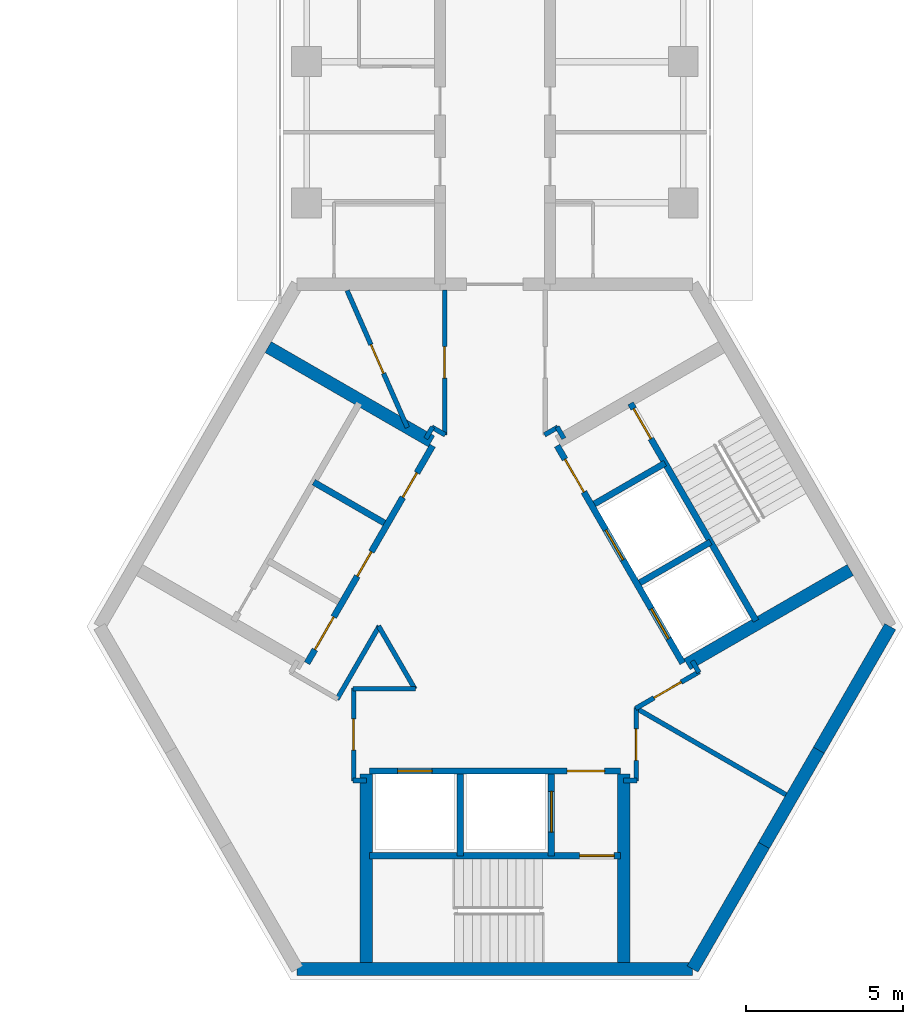
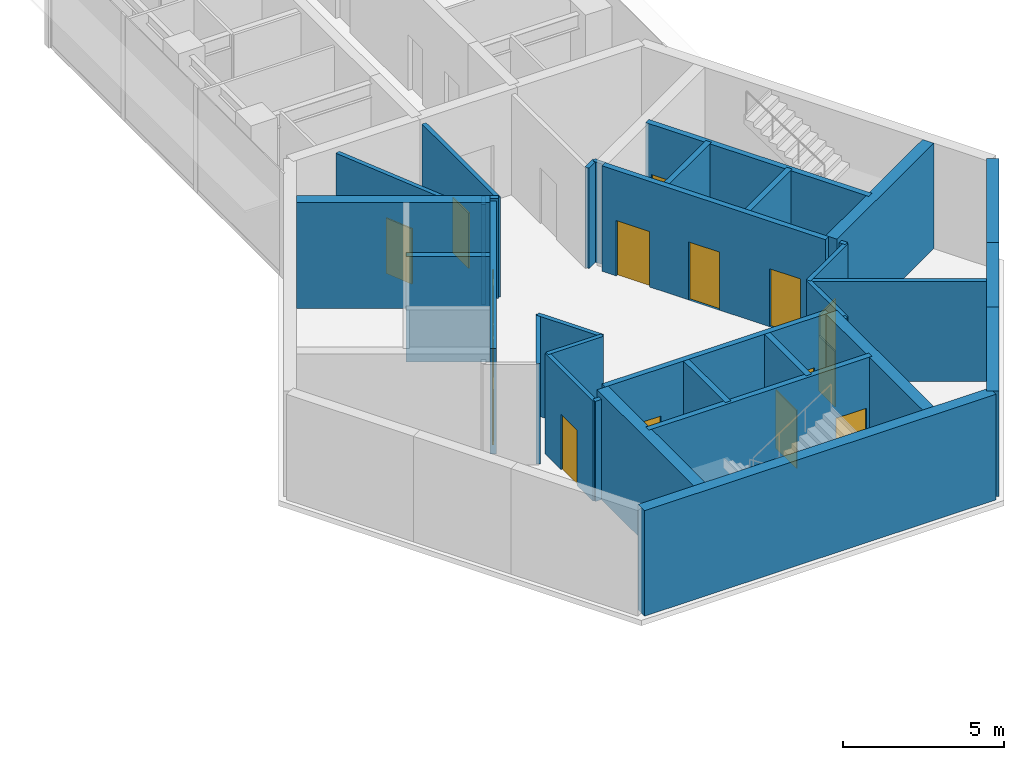
# One storey, part 8 of 11: 34 walls, 16 doors, 16 openings.
"""IFC4 building model written with IfcOpenShell, lengths in metres."""

from ifc_helpers import new_model, si_unit, direction, frame, frame_2d, origin, place, context, subcontext, project, spatial, rectangle, extrude, material, layer, layer_set, type_object, element, fill, save


model = new_model("IFC4")

# Units and contexts
model_context = context("Model", 3, precision=1e-05, world=origin(), true_north=direction((0.0, 1.0)))
body_context = subcontext(model_context, "Body", "Model", "MODEL_VIEW")
ifc_project = project(units=[si_unit("LENGTHUNIT", "METRE"), si_unit("AREAUNIT", "SQUARE_METRE"), si_unit("VOLUMEUNIT", "CUBIC_METRE"), si_unit("PLANEANGLEUNIT", "RADIAN"), si_unit("MASSUNIT", "GRAM", prefix="KILO")], contexts=[model_context])

# Site, building, storey
site_placement = place(None, origin())
site = spatial("IfcSite", under=ifc_project, at=site_placement, CompositionType="ELEMENT")
building_placement = place(site_placement, origin())
building = spatial("IfcBuilding", under=site, at=building_placement, Name="Upepo Twin Towers", CompositionType="ELEMENT")
storey_placement = place(building_placement, frame((0.0, 0.0, 275.5)))
storey = spatial("IfcBuildingStorey", under=building, at=storey_placement, Name="L67", CompositionType="ELEMENT", Elevation=275.5)

# Walls
ifc_material_1 = material(Name="Concrete C60/75", Category="concrete")
ifc_layer_1 = layer(ifc_material_1, 0.39990234375)
ifc_layer_set_1 = layer_set([ifc_layer_1], Name="Concrete C60/75")
wall_type_1 = type_object("IfcWallType", Name="Core wall 400 RC", PredefinedType="SHEAR", material=ifc_layer_set_1)
wall_1_placement = place(storey_placement, frame((52.2021484375, -28.908447265625, 0.0), z_axis=(0.0, 0.0, 1.0), x_axis=(1.0, 0.0, 0.0)))
element("IfcWall", 1, at=wall_1_placement, inside=storey, type_object=wall_type_1, Name="T2 core wall 180", PredefinedType="SHEAR", context=body_context, shape_type="SweptSolid", body=[
    extrude(rectangle(XDim=12.595703125, YDim=0.39990234375, at=frame_2d((6.2978515625, 0.0))), origin(), (0.0, 0.0, 1.0), 4.0),
])
wall_2_placement = place(storey_placement, frame((64.7978515625, -28.908447265625, 0.0), z_axis=(0.0, 0.0, 1.0), x_axis=(0.499984222037, 0.866034513004, 0.0)))
element("IfcWall", 2, at=wall_2_placement, inside=storey, type_object=wall_type_1, Name="T2 core wall 240 R", PredefinedType="SHEAR", context=body_context, shape_type="SweptSolid", body=[
    extrude(rectangle(XDim=4.548095703125, YDim=0.39990234375, at=frame_2d((2.27392578125, 0.0))), origin(), (0.0, 0.0, 1.0), 4.0),
])
wall_3_placement = place(storey_placement, frame((67.07177734375, -24.9697265625, 0.0), z_axis=(0.0, 0.0, 1.0), x_axis=(0.500010275428, 0.866019471182, 0.0)))
element("IfcWall", 3, at=wall_3_placement, inside=storey, type_object=wall_type_1, Name="T2 core wall 240", PredefinedType="SHEAR", context=body_context, shape_type="SweptSolid", body=[
    extrude(rectangle(XDim=3.5, YDim=0.39990234375, at=frame_2d((1.75, 0.0))), origin(), (0.0, 0.0, 1.0), 4.0),
])
wall_4_placement = place(storey_placement, frame((68.82177734375, -21.938720703125, 0.0), z_axis=(0.0, 0.0, 1.0), x_axis=(0.500024481964, 0.866011268655, 0.0)))
element("IfcWall", 4, at=wall_4_placement, inside=storey, type_object=wall_type_1, Name="T2 core wall 240 L", PredefinedType="SHEAR", context=body_context, shape_type="SweptSolid", body=[
    extrude(rectangle(XDim=4.548095703125, YDim=0.39990234375, at=frame_2d((2.27392578125, 0.0))), origin(), (0.0, 0.0, 1.0), 4.0),
])

# Wall, openings, doors
ifc_material_2 = material(Name="Concrete C40/50", Category="concrete")
ifc_layer_2 = layer(ifc_material_2, 0.199951171875)
ifc_layer_set_2 = layer_set([ifc_layer_2], Name="Concrete C40/50")
wall_type_2 = type_object("IfcWallType", Name="Shaft wall 200 RC", PredefinedType="SHEAR", material=ifc_layer_set_2)
wall_5_placement = place(storey_placement, frame((56.516357421875, -12.23583984375, 0.0), z_axis=(0.0, 0.0, 1.0), x_axis=(-0.49999894854, -0.866026010844, 0.0)))
wall_5 = element("IfcWall", 5, at=wall_5_placement, inside=storey, type_object=wall_type_2, Name="T2 core W60 front wall", PredefinedType="SHEAR", context=body_context, shape_type="SweptSolid", body=[
    extrude(rectangle(XDim=8.0, YDim=0.199951171875, at=frame_2d((4.0, 0.0))), origin(), (0.0, 0.0, 1.0), 4.0),
])
opening_1_placement = place(wall_5_placement, frame((6.300048828125, 0.0, 0.0)))
opening_1 = element("IfcOpeningElement", 6, at=opening_1_placement, cuts=wall_5, Name="Opening D4", PredefinedType="OPENING", context=body_context, shape_type="SweptSolid", body=[
    extrude(rectangle(XDim=1.199951171875, YDim=2.10009765625, at=frame_2d((0.60009765625, 1.050048828125))), frame((0.0, 0.10986328125, 0.0), z_axis=(0.0, -1.0, 0.0), x_axis=(1.0, 0.0, 0.0)), (0.0, 0.0, 1.0), 0.219970703125),
])
opening_2_placement = place(wall_5_placement, frame((1.0, 0.0, 0.0)))
opening_2 = element("IfcOpeningElement", 7, at=opening_2_placement, cuts=wall_5, Name="Opening D9", PredefinedType="OPENING", context=body_context, shape_type="SweptSolid", body=[
    extrude(rectangle(XDim=0.89990234375, YDim=2.10009765625, at=frame_2d((0.449951171875, 1.050048828125))), frame((0.0, 0.10986328125, 0.0), z_axis=(0.0, -1.0, 0.0), x_axis=(1.0, 0.0, 0.0)), (0.0, 0.0, 1.0), 0.219970703125),
])
opening_3_placement = place(wall_5_placement, frame((3.89990234375, 0.0, 0.0)))
opening_3 = element("IfcOpeningElement", 8, at=opening_3_placement, cuts=wall_5, Name="Opening D9", PredefinedType="OPENING", context=body_context, shape_type="SweptSolid", body=[
    extrude(rectangle(XDim=0.89990234375, YDim=2.10009765625, at=frame_2d((0.449951171875, 1.050048828125))), frame((0.0, 0.10986328125, 0.0), z_axis=(0.0, -1.0, 0.0), x_axis=(1.0, 0.0, 0.0)), (0.0, 0.0, 1.0), 0.219970703125),
])
ifc_material_3 = material(Name="Timber doorset", Category="wood")
door_type_1 = type_object("IfcDoorType", Name="Lobby door 1200 FD60", OperationType="SINGLE_SWING_LEFT", PredefinedType="DOOR", material=ifc_material_3)
door_1_placement = place(opening_1_placement, origin())
door_1 = element("IfcDoor", 9, at=door_1_placement, inside=storey, type_object=door_type_1, Name="T2 L67 W60 lobby door", OperationType="SINGLE_SWING_RIGHT", OverallHeight=2.10009765625, OverallWidth=1.199951171875, PredefinedType="DOOR", context=body_context, shape_type="SweptSolid", body=[
    extrude(rectangle(XDim=1.199951171875, YDim=2.10009765625, at=frame_2d((0.60009765625, 1.050048828125))), frame((0.0, 0.02490234375, 0.0), z_axis=(0.0, -1.0, 0.0), x_axis=(1.0, 0.0, 0.0)), (0.0, 0.0, 1.0), 0.050048828125),
])
fill(opening_1, door_1)
ifc_material_4 = material(Name="Timber doorset", Category="wood")
door_type_2 = type_object("IfcDoorType", Name="Riser door 900 FD60", OperationType="SINGLE_SWING_LEFT", PredefinedType="DOOR", material=ifc_material_4)
door_2_placement = place(opening_2_placement, origin())
door_2 = element("IfcDoor", 10, at=door_2_placement, inside=storey, type_object=door_type_2, Name="T2 L67 it and communications room door", OperationType="SINGLE_SWING_LEFT", OverallHeight=2.10009765625, OverallWidth=0.89990234375, PredefinedType="DOOR", context=body_context, shape_type="SweptSolid", body=[
    extrude(rectangle(XDim=0.89990234375, YDim=2.10009765625, at=frame_2d((0.449951171875, 1.050048828125))), frame((0.0, 0.02490234375, 0.0), z_axis=(0.0, -1.0, 0.0), x_axis=(1.0, 0.0, 0.0)), (0.0, 0.0, 1.0), 0.050048828125),
])
fill(opening_2, door_2)
door_3_placement = place(opening_3_placement, origin())
door_3 = element("IfcDoor", 11, at=door_3_placement, inside=storey, type_object=door_type_2, Name="T2 L67 examination papers store door", OperationType="SINGLE_SWING_RIGHT", OverallHeight=2.10009765625, OverallWidth=0.89990234375, PredefinedType="DOOR", context=body_context, shape_type="SweptSolid", body=[
    extrude(rectangle(XDim=0.89990234375, YDim=2.10009765625, at=frame_2d((0.449951171875, 1.050048828125))), frame((0.0, 0.02490234375, 0.0), z_axis=(0.0, -1.0, 0.0), x_axis=(1.0, 0.0, 0.0)), (0.0, 0.0, 1.0), 0.050048828125),
])
fill(opening_3, door_3)

# Wall
wall_6_placement = place(storey_placement, frame((54.979736328125, -14.697265625, 0.0), z_axis=(0.0, 0.0, 1.0), x_axis=(-0.866062058628, 0.499936506574, 0.0)))
element("IfcWall", 12, at=wall_6_placement, inside=storey, type_object=wall_type_2, Name="T2 core W60 shaft divider", PredefinedType="SHEAR", context=body_context, shape_type="SweptSolid", body=[
    extrude(rectangle(XDim=2.599853515625, YDim=0.199951171875, at=frame_2d((1.2998046875, 0.0))), origin(), (0.0, 0.0, 1.0), 4.0),
])

# Wall, openings, doors
wall_7_placement = place(storey_placement, frame((54.5, -22.60009765625, 0.0), z_axis=(0.0, 0.0, 1.0), x_axis=(1.0, 0.0, 0.0)))
wall_7 = element("IfcWall", 13, at=wall_7_placement, inside=storey, type_object=wall_type_2, Name="T2 core W180 front wall", PredefinedType="SHEAR", context=body_context, shape_type="SweptSolid", body=[
    extrude(rectangle(XDim=8.0, YDim=0.199951171875, at=frame_2d((4.0, 0.0))), origin(), (0.0, 0.0, 1.0), 4.0),
])
opening_4_placement = place(wall_7_placement, frame((6.300048828125, 0.0, 0.0)))
opening_4 = element("IfcOpeningElement", 14, at=opening_4_placement, cuts=wall_7, Name="Opening D4", PredefinedType="OPENING", context=body_context, shape_type="SweptSolid", body=[
    extrude(rectangle(XDim=1.199951171875, YDim=2.10009765625, at=frame_2d((0.60009765625, 1.050048828125))), frame((0.0, 0.10986328125, 0.0), z_axis=(0.0, -1.0, 0.0), x_axis=(1.0, 0.0, 0.0)), (0.0, 0.0, 1.0), 0.219970703125),
])
opening_5_placement = place(wall_7_placement, frame((0.89990234375, 0.0, 0.0)))
opening_5 = element("IfcOpeningElement", 15, at=opening_5_placement, cuts=wall_7, Name="Opening LD1", PredefinedType="OPENING", context=body_context, shape_type="SweptSolid", body=[
    extrude(rectangle(XDim=1.10009765625, YDim=2.199951171875, at=frame_2d((0.550048828125, 1.10009765625))), frame((0.0, 0.10986328125, 0.0), z_axis=(0.0, -1.0, 0.0), x_axis=(1.0, 0.0, 0.0)), (0.0, 0.0, 1.0), 0.219970703125),
])
ifc_material_5 = material(Name="Steel doorset", Category="steel")
door_type_3 = type_object("IfcDoorType", Name="Lift landing door 1100", OperationType="DOUBLE_DOOR_SLIDING", PredefinedType="DOOR", material=ifc_material_5)
door_4_placement = place(opening_5_placement, origin())
door_4 = element("IfcDoor", 16, at=door_4_placement, inside=storey, type_object=door_type_3, Name="T2 L67 lift SV1 landing door", OperationType="DOUBLE_DOOR_SLIDING", OverallHeight=2.199951171875, OverallWidth=1.10009765625, PredefinedType="DOOR", context=body_context, shape_type="SweptSolid", body=[
    extrude(rectangle(XDim=1.10009765625, YDim=2.199951171875, at=frame_2d((0.550048828125, 1.10009765625))), frame((0.0, 0.02490234375, 0.0), z_axis=(0.0, -1.0, 0.0), x_axis=(1.0, 0.0, 0.0)), (0.0, 0.0, 1.0), 0.050048828125),
])
fill(opening_5, door_4)
door_5_placement = place(opening_4_placement, origin())
door_5 = element("IfcDoor", 17, at=door_5_placement, inside=storey, type_object=door_type_1, Name="T2 L67 W180 lobby door", OperationType="SINGLE_SWING_RIGHT", OverallHeight=2.10009765625, OverallWidth=1.199951171875, PredefinedType="DOOR", context=body_context, shape_type="SweptSolid", body=[
    extrude(rectangle(XDim=1.199951171875, YDim=2.10009765625, at=frame_2d((0.60009765625, 1.050048828125))), frame((0.0, 0.02490234375, 0.0), z_axis=(0.0, -1.0, 0.0), x_axis=(1.0, 0.0, 0.0)), (0.0, 0.0, 1.0), 0.050048828125),
])
fill(opening_4, door_5)

# Wall
wall_8_placement = place(storey_placement, frame((57.39990234375, -22.699951171875, 0.0), z_axis=(0.0, 0.0, 1.0), x_axis=(0.0, -1.0, 0.0)))
element("IfcWall", 18, at=wall_8_placement, inside=storey, type_object=wall_type_2, Name="T2 core W180 shaft divider", PredefinedType="SHEAR", context=body_context, shape_type="SweptSolid", body=[
    extrude(rectangle(XDim=2.60009765625, YDim=0.199951171875, at=frame_2d((1.300048828125, 0.0))), origin(), (0.0, 0.0, 1.0), 4.0),
])

# Wall, opening, door
wall_9_placement = place(storey_placement, frame((60.300048828125, -22.699951171875, 0.0), z_axis=(0.0, 0.0, 1.0), x_axis=(0.0, -1.0, 0.0)))
wall_9 = element("IfcWall", 19, at=wall_9_placement, inside=storey, type_object=wall_type_2, Name="T2 core W180 lobby wall", PredefinedType="SHEAR", context=body_context, shape_type="SweptSolid", body=[
    extrude(rectangle(XDim=2.60009765625, YDim=0.199951171875, at=frame_2d((1.300048828125, 0.0))), origin(), (0.0, 0.0, 1.0), 4.0),
])
opening_6_placement = place(wall_9_placement, frame((0.550048828125, 0.0, 0.0)))
opening_6 = element("IfcOpeningElement", 20, at=opening_6_placement, cuts=wall_9, Name="Opening LD2", PredefinedType="OPENING", context=body_context, shape_type="SweptSolid", body=[
    extrude(rectangle(XDim=1.300048828125, YDim=2.199951171875, at=frame_2d((0.64990234375, 1.10009765625))), frame((0.0, 0.10986328125, 0.0), z_axis=(0.0, -1.0, 0.0), x_axis=(1.0, 0.0, 0.0)), (0.0, 0.0, 1.0), 0.219970703125),
])
ifc_material_6 = material(Name="Steel doorset", Category="steel")
door_type_4 = type_object("IfcDoorType", Name="Firefighting lift landing door 1300", OperationType="DOUBLE_DOOR_SLIDING", PredefinedType="DOOR", material=ifc_material_6)
door_6_placement = place(opening_6_placement, origin())
door_6 = element("IfcDoor", 21, at=door_6_placement, inside=storey, type_object=door_type_4, Name="T2 L67 firefighting lift landing door", OperationType="DOUBLE_DOOR_SLIDING", OverallHeight=2.199951171875, OverallWidth=1.300048828125, PredefinedType="DOOR", context=body_context, shape_type="SweptSolid", body=[
    extrude(rectangle(XDim=1.300048828125, YDim=2.199951171875, at=frame_2d((0.64990234375, 1.10009765625))), frame((0.0, 0.02490234375, 0.0), z_axis=(0.0, -1.0, 0.0), x_axis=(1.0, 0.0, 0.0)), (0.0, 0.0, 1.0), 0.050048828125),
])
fill(opening_6, door_6)

wall_10_placement = place(storey_placement, frame((54.5, -25.300048828125, 0.0), z_axis=(0.0, 0.0, 1.0), x_axis=(1.0, 0.0, 0.0)))
wall_10 = element("IfcWall", 22, at=wall_10_placement, inside=storey, type_object=wall_type_2, Name="T2 core W180 stair wall", PredefinedType="SHEAR", context=body_context, shape_type="SweptSolid", body=[
    extrude(rectangle(XDim=8.0, YDim=0.199951171875, at=frame_2d((4.0, 0.0))), origin(), (0.0, 0.0, 1.0), 4.0),
])
opening_7_placement = place(wall_10_placement, frame((6.699951171875, 0.0, 0.0)))
opening_7 = element("IfcOpeningElement", 23, at=opening_7_placement, cuts=wall_10, Name="Opening D3", PredefinedType="OPENING", context=body_context, shape_type="SweptSolid", body=[
    extrude(rectangle(XDim=1.10009765625, YDim=2.10009765625, at=frame_2d((0.550048828125, 1.050048828125))), frame((0.0, 0.10986328125, 0.0), z_axis=(0.0, -1.0, 0.0), x_axis=(1.0, 0.0, 0.0)), (0.0, 0.0, 1.0), 0.219970703125),
])
ifc_material_7 = material(Name="Timber doorset", Category="wood")
door_type_5 = type_object("IfcDoorType", Name="Stair door 1100 FD60", OperationType="SINGLE_SWING_LEFT", PredefinedType="DOOR", material=ifc_material_7)
door_7_placement = place(opening_7_placement, origin())
door_7 = element("IfcDoor", 24, at=door_7_placement, inside=storey, type_object=door_type_5, Name="T2 L67 stair door", OperationType="SINGLE_SWING_RIGHT", OverallHeight=2.10009765625, OverallWidth=1.10009765625, PredefinedType="DOOR", context=body_context, shape_type="SweptSolid", body=[
    extrude(rectangle(XDim=1.10009765625, YDim=2.10009765625, at=frame_2d((0.550048828125, 1.050048828125))), frame((0.0, 0.02490234375, 0.0), z_axis=(0.0, -1.0, 0.0), x_axis=(1.0, 0.0, 0.0)), (0.0, 0.0, 1.0), 0.050048828125),
])
fill(opening_7, door_7)

# Wall, openings, doors
wall_11_placement = place(storey_placement, frame((64.483642578125, -19.1640625, 0.0), z_axis=(0.0, 0.0, 1.0), x_axis=(-0.49999894854, 0.866026010844, 0.0)))
wall_11 = element("IfcWall", 25, at=wall_11_placement, inside=storey, type_object=wall_type_2, Name="T2 core W300 front wall", PredefinedType="SHEAR", context=body_context, shape_type="SweptSolid", body=[
    extrude(rectangle(XDim=8.0, YDim=0.199951171875, at=frame_2d((4.0, 0.0))), origin(), (0.0, 0.0, 1.0), 4.0),
])
opening_8_placement = place(wall_11_placement, frame((6.300048828125, 0.0, 0.0)))
opening_8 = element("IfcOpeningElement", 26, at=opening_8_placement, cuts=wall_11, Name="Opening D4", PredefinedType="OPENING", context=body_context, shape_type="SweptSolid", body=[
    extrude(rectangle(XDim=1.199951171875, YDim=2.10009765625, at=frame_2d((0.60009765625, 1.050048828125))), frame((0.0, 0.10986328125, 0.0), z_axis=(0.0, -1.0, 0.0), x_axis=(1.0, 0.0, 0.0)), (0.0, 0.0, 1.0), 0.219970703125),
])
opening_9_placement = place(wall_11_placement, frame((0.89990234375, 0.0, 0.0)))
opening_9 = element("IfcOpeningElement", 27, at=opening_9_placement, cuts=wall_11, Name="Opening LD1", PredefinedType="OPENING", context=body_context, shape_type="SweptSolid", body=[
    extrude(rectangle(XDim=1.10009765625, YDim=2.199951171875, at=frame_2d((0.550048828125, 1.10009765625))), frame((0.0, 0.10986328125, 0.0), z_axis=(0.0, -1.0, 0.0), x_axis=(1.0, 0.0, 0.0)), (0.0, 0.0, 1.0), 0.219970703125),
])
opening_10_placement = place(wall_11_placement, frame((3.800048828125, 0.0, 0.0)))
opening_10 = element("IfcOpeningElement", 28, at=opening_10_placement, cuts=wall_11, Name="Opening LD1", PredefinedType="OPENING", context=body_context, shape_type="SweptSolid", body=[
    extrude(rectangle(XDim=1.10009765625, YDim=2.199951171875, at=frame_2d((0.550048828125, 1.10009765625))), frame((0.0, 0.10986328125, 0.0), z_axis=(0.0, -1.0, 0.0), x_axis=(1.0, 0.0, 0.0)), (0.0, 0.0, 1.0), 0.219970703125),
])
door_8_placement = place(opening_9_placement, origin())
door_8 = element("IfcDoor", 29, at=door_8_placement, inside=storey, type_object=door_type_3, Name="T2 L67 lift TL1 landing door", OperationType="DOUBLE_DOOR_SLIDING", OverallHeight=2.199951171875, OverallWidth=1.10009765625, PredefinedType="DOOR", context=body_context, shape_type="SweptSolid", body=[
    extrude(rectangle(XDim=1.10009765625, YDim=2.199951171875, at=frame_2d((0.550048828125, 1.10009765625))), frame((0.0, 0.02490234375, 0.0), z_axis=(0.0, -1.0, 0.0), x_axis=(1.0, 0.0, 0.0)), (0.0, 0.0, 1.0), 0.050048828125),
])
fill(opening_9, door_8)
door_9_placement = place(opening_10_placement, origin())
door_9 = element("IfcDoor", 30, at=door_9_placement, inside=storey, type_object=door_type_3, Name="T2 L67 lift TL2 landing door", OperationType="DOUBLE_DOOR_SLIDING", OverallHeight=2.199951171875, OverallWidth=1.10009765625, PredefinedType="DOOR", context=body_context, shape_type="SweptSolid", body=[
    extrude(rectangle(XDim=1.10009765625, YDim=2.199951171875, at=frame_2d((0.550048828125, 1.10009765625))), frame((0.0, 0.02490234375, 0.0), z_axis=(0.0, -1.0, 0.0), x_axis=(1.0, 0.0, 0.0)), (0.0, 0.0, 1.0), 0.050048828125),
])
fill(opening_10, door_9)
door_10_placement = place(opening_8_placement, origin())
door_10 = element("IfcDoor", 31, at=door_10_placement, inside=storey, type_object=door_type_1, Name="T2 L67 W300 lobby door", OperationType="SINGLE_SWING_RIGHT", OverallHeight=2.10009765625, OverallWidth=1.199951171875, PredefinedType="DOOR", context=body_context, shape_type="SweptSolid", body=[
    extrude(rectangle(XDim=1.199951171875, YDim=2.10009765625, at=frame_2d((0.60009765625, 1.050048828125))), frame((0.0, 0.02490234375, 0.0), z_axis=(0.0, -1.0, 0.0), x_axis=(1.0, 0.0, 0.0)), (0.0, 0.0, 1.0), 0.050048828125),
])
fill(opening_8, door_10)

# Walls
wall_12_placement = place(storey_placement, frame((63.120361328125, -16.6025390625, 0.0), z_axis=(0.0, 0.0, 1.0), x_axis=(0.866062058628, 0.499936506574, 0.0)))
element("IfcWall", 32, at=wall_12_placement, inside=storey, type_object=wall_type_2, Name="T2 core W300 shaft divider", PredefinedType="SHEAR", context=body_context, shape_type="SweptSolid", body=[
    extrude(rectangle(XDim=2.599853515625, YDim=0.199951171875, at=frame_2d((1.2998046875, 0.0))), origin(), (0.0, 0.0, 1.0), 4.0),
])
wall_13_placement = place(storey_placement, frame((61.67041015625, -14.091064453125, 0.0), z_axis=(0.0, 0.0, 1.0), x_axis=(0.86603858612, 0.49997716683, 0.0)))
element("IfcWall", 33, at=wall_13_placement, inside=storey, type_object=wall_type_2, Name="T2 core W300 lobby wall", PredefinedType="SHEAR", context=body_context, shape_type="SweptSolid", body=[
    extrude(rectangle(XDim=2.599609375, YDim=0.199951171875, at=frame_2d((1.2998046875, 0.0))), origin(), (0.0, 0.0, 1.0), 4.0),
])

# Wall, opening, door
wall_14_placement = place(storey_placement, frame((66.822021484375, -17.814208984375, 0.0), z_axis=(0.0, 0.0, 1.0), x_axis=(-0.49999894854, 0.866026010844, 0.0)))
wall_14 = element("IfcWall", 34, at=wall_14_placement, inside=storey, type_object=wall_type_2, Name="T2 core W300 stair wall", PredefinedType="SHEAR", context=body_context, shape_type="SweptSolid", body=[
    extrude(rectangle(XDim=8.0, YDim=0.199951171875, at=frame_2d((4.0, 0.0))), origin(), (0.0, 0.0, 1.0), 4.0),
])
opening_11_placement = place(wall_14_placement, frame((6.699951171875, 0.0, 0.0)))
opening_11 = element("IfcOpeningElement", 35, at=opening_11_placement, cuts=wall_14, Name="Opening D3", PredefinedType="OPENING", context=body_context, shape_type="SweptSolid", body=[
    extrude(rectangle(XDim=1.10009765625, YDim=2.10009765625, at=frame_2d((0.550048828125, 1.050048828125))), frame((0.0, 0.10986328125, 0.0), z_axis=(0.0, -1.0, 0.0), x_axis=(1.0, 0.0, 0.0)), (0.0, 0.0, 1.0), 0.219970703125),
])
door_11_placement = place(opening_11_placement, origin())
door_11 = element("IfcDoor", 36, at=door_11_placement, inside=storey, type_object=door_type_5, Name="T2 L67 stair door", OperationType="SINGLE_SWING_RIGHT", OverallHeight=2.10009765625, OverallWidth=1.10009765625, PredefinedType="DOOR", context=body_context, shape_type="SweptSolid", body=[
    extrude(rectangle(XDim=1.10009765625, YDim=2.10009765625, at=frame_2d((0.550048828125, 1.050048828125))), frame((0.0, 0.02490234375, 0.0), z_axis=(0.0, -1.0, 0.0), x_axis=(1.0, 0.0, 0.0)), (0.0, 0.0, 1.0), 0.050048828125),
])
fill(opening_11, door_11)

# Walls
ifc_material_8 = material(Name="Concrete C40/50", Category="concrete")
ifc_layer_3 = layer(ifc_material_8, 0.39990234375)
ifc_layer_set_3 = layer_set([ifc_layer_3], Name="Concrete C40/50")
wall_type_3 = type_object("IfcWallType", Name="Shaft wall 400 RC", PredefinedType="SHEAR", material=ifc_layer_set_3)
for number, where, z_axis, x_axis, name in (
    (37, (56.479736328125, -12.099365234375, 0.0), (0.0, 0.0, 1.0), (-0.866026570101, 0.499997979876, 0.0), "T2 core W60 side wall S"),
    (38, (62.60009765625, -22.699951171875, 0.0), (0.0, 0.0, 1.0), (0.0, -1.0, 0.0), "T2 core W180 side wall N"),
    (39, (54.39990234375, -22.699951171875, 0.0), (0.0, 0.0, 1.0), (0.0, -1.0, 0.0), "T2 core W180 side wall S"),
    (40, (64.620361328125, -19.20068359375, 0.0), (0.0, 0.0, 1.0), (0.866026570101, 0.499997979876, 0.0), "T2 core W300 side wall S"),
):
    element("IfcWall", number, at=place(storey_placement, frame(where, z_axis=z_axis, x_axis=x_axis)), inside=storey, type_object=wall_type_3, Name=name, PredefinedType="SHEAR", context=body_context, shape_type="SweptSolid", body=[
        extrude(rectangle(XDim=6.00830078125, YDim=0.39990234375, at=frame_2d((3.004150390625, 0.0))), origin(), (0.0, 0.0, 1.0), 4.0),
    ])
ifc_material_9 = material(Name="Gypsum board on steel studs", Category="steel")
ifc_layer_4 = layer(ifc_material_9, 0.14990234375)
ifc_layer_set_4 = layer_set([ifc_layer_4], Name="Teaching partition 150 acoustic")
wall_type_4 = type_object("IfcWallType", Name="Teaching partition 150 acoustic", PredefinedType="PARTITIONING", material=ifc_layer_set_4)
for number, where, z_axis, x_axis, name in (
    (41, (63.02001953125, -22.89990234375, 0.0), (0.0, 0.0, 1.0), (-1.0, 0.0, 0.0), "T2 core room partition 1"),
    (42, (54.409912109375, -22.89990234375, 0.0), (0.0, 0.0, 1.0), (-1.0, 0.0, 0.0), "T2 core room partition 2"),
):
    element("IfcWall", number, at=place(storey_placement, frame(where, z_axis=z_axis, x_axis=x_axis)), inside=storey, type_object=wall_type_4, Name=name, PredefinedType="PARTITIONING", context=body_context, shape_type="SweptSolid", body=[
        extrude(rectangle(XDim=0.429931640625, YDim=0.14990234375, at=frame_2d((0.21484375, 0.0))), origin(), (0.0, 0.0, 1.0), 3.800048828125),
    ])

# Wall, opening, door
wall_15_placement = place(storey_placement, frame((54.0, -22.919921875, 0.0), z_axis=(0.0, 0.0, 1.0), x_axis=(0.0, 1.0, 0.0)))
wall_15 = element("IfcWall", 43, at=wall_15_placement, inside=storey, type_object=wall_type_4, Name="T2 core room partition 3", PredefinedType="PARTITIONING", context=body_context, shape_type="SweptSolid", body=[
    extrude(rectangle(XDim=2.96484375, YDim=0.14990234375, at=frame_2d((1.482421875, 0.0))), origin(), (0.0, 0.0, 1.0), 3.800048828125),
])
opening_12_placement = place(wall_15_placement, frame((0.982421875, 0.0, 0.0)))
opening_12 = element("IfcOpeningElement", 44, at=opening_12_placement, cuts=wall_15, Name="Opening D1", PredefinedType="OPENING", context=body_context, shape_type="SweptSolid", body=[
    extrude(rectangle(XDim=1.0, YDim=2.10009765625, at=frame_2d((0.5, 1.050048828125))), frame((0.0, 0.0849609375, 0.0), z_axis=(0.0, -1.0, 0.0), x_axis=(1.0, 0.0, 0.0)), (0.0, 0.0, 1.0), 0.169921875),
])
ifc_material_10 = material(Name="Timber doorset", Category="wood")
door_type_6 = type_object("IfcDoorType", Name="Room door 1000 FD30", OperationType="SINGLE_SWING_LEFT", PredefinedType="DOOR", material=ifc_material_10)
door_12_placement = place(opening_12_placement, origin())
door_12 = element("IfcDoor", 45, at=door_12_placement, inside=storey, type_object=door_type_6, Name="T2 L67 core room door K1", OperationType="SINGLE_SWING_RIGHT", OverallHeight=2.10009765625, OverallWidth=1.0, PredefinedType="DOOR", context=body_context, shape_type="SweptSolid", body=[
    extrude(rectangle(XDim=1.0, YDim=2.10009765625, at=frame_2d((0.5, 1.050048828125))), frame((0.0, 0.02490234375, 0.0), z_axis=(0.0, -1.0, 0.0), x_axis=(1.0, 0.0, 0.0)), (0.0, 0.0, 1.0), 0.050048828125),
])
fill(opening_12, door_12)

# Walls
wall_16_placement = place(storey_placement, frame((53.97998046875, -19.97509765625, 0.0), z_axis=(0.0, 0.0, 1.0), x_axis=(1.0, 0.0, 0.0)))
element("IfcWall", 46, at=wall_16_placement, inside=storey, type_object=wall_type_4, Name="T2 core room partition 4", PredefinedType="PARTITIONING", context=body_context, shape_type="SweptSolid", body=[
    extrude(rectangle(XDim=1.985107421875, YDim=0.14990234375, at=frame_2d((0.99267578125, 0.0))), origin(), (0.0, 0.0, 1.0), 3.800048828125),
])
wall_17_placement = place(storey_placement, frame((55.955078125, -19.992431640625, 0.0), z_axis=(0.0, 0.0, 1.0), x_axis=(-0.499941024108, 0.866059450854, 0.0)))
element("IfcWall", 47, at=wall_17_placement, inside=storey, type_object=wall_type_4, Name="T2 core room partition 5", PredefinedType="PARTITIONING", context=body_context, shape_type="SweptSolid", body=[
    extrude(rectangle(XDim=2.320556640625, YDim=0.14990234375, at=frame_2d((1.16015625, 0.0))), origin(), (0.0, 0.0, 1.0), 3.800048828125),
])
wall_18_placement = place(storey_placement, frame((54.81494140625, -17.982666015625, 0.0), z_axis=(0.0, 0.0, 1.0), x_axis=(-0.499981473571, -0.866036099759, 0.0)))
element("IfcWall", 48, at=wall_18_placement, inside=storey, type_object=wall_type_4, Name="T2 core room partition 6", PredefinedType="PARTITIONING", context=body_context, shape_type="SweptSolid", body=[
    extrude(rectangle(XDim=2.6923828125, YDim=0.14990234375, at=frame_2d((1.34619140625, 0.0))), origin(), (0.0, 0.0, 1.0), 3.800048828125),
])
wall_19_placement = place(storey_placement, frame((56.301513671875, -12.0078125, 0.0), z_axis=(0.0, 0.0, 1.0), x_axis=(0.500230298122, 0.865892400268, 0.0)))
element("IfcWall", 49, at=wall_19_placement, inside=storey, type_object=wall_type_4, Name="T2 core room partition 9", PredefinedType="PARTITIONING", context=body_context, shape_type="SweptSolid", body=[
    extrude(rectangle(XDim=0.429931640625, YDim=0.14990234375, at=frame_2d((0.21484375, 0.0))), origin(), (0.0, 0.0, 1.0), 3.800048828125),
])
wall_20_placement = place(storey_placement, frame((56.4892578125, -11.642822265625, 0.0), z_axis=(0.0, 0.0, 1.0), x_axis=(0.865831790172, -0.50033519877, 0.0)))
element("IfcWall", 50, at=wall_20_placement, inside=storey, type_object=wall_type_4, Name="T2 core room partition 10", PredefinedType="PARTITIONING", context=body_context, shape_type="SweptSolid", body=[
    extrude(rectangle(XDim=0.494384765625, YDim=0.14990234375, at=frame_2d((0.2470703125, 0.0))), origin(), (0.0, 0.0, 1.0), 3.800048828125),
])

# Wall, opening, door
wall_21_placement = place(storey_placement, frame((56.89990234375, -11.900146484375, 0.0), z_axis=(0.0, 0.0, 1.0), x_axis=(0.0, 1.0, 0.0)))
wall_21 = element("IfcWall", 51, at=wall_21_placement, inside=storey, type_object=wall_type_4, Name="T2 core room partition 11", PredefinedType="PARTITIONING", context=body_context, shape_type="SweptSolid", body=[
    extrude(rectangle(XDim=4.618408203125, YDim=0.14990234375, at=frame_2d((2.30908203125, 0.0))), origin(), (0.0, 0.0, 1.0), 3.800048828125),
])
opening_13_placement = place(wall_21_placement, frame((1.8193359375, 0.0, 0.0)))
opening_13 = element("IfcOpeningElement", 52, at=opening_13_placement, cuts=wall_21, Name="Opening D1", PredefinedType="OPENING", context=body_context, shape_type="SweptSolid", body=[
    extrude(rectangle(XDim=1.0, YDim=2.10009765625, at=frame_2d((0.5, 1.050048828125))), frame((0.0, 0.0849609375, 0.0), z_axis=(0.0, -1.0, 0.0), x_axis=(1.0, 0.0, 0.0)), (0.0, 0.0, 1.0), 0.169921875),
])
door_13_placement = place(opening_13_placement, origin())
door_13 = element("IfcDoor", 53, at=door_13_placement, inside=storey, type_object=door_type_6, Name="T2 L67 core room door K6", OperationType="SINGLE_SWING_RIGHT", OverallHeight=2.10009765625, OverallWidth=1.0, PredefinedType="DOOR", context=body_context, shape_type="SweptSolid", body=[
    extrude(rectangle(XDim=1.0, YDim=2.10009765625, at=frame_2d((0.5, 1.050048828125))), frame((0.0, 0.02490234375, 0.0), z_axis=(0.0, -1.0, 0.0), x_axis=(1.0, 0.0, 0.0)), (0.0, 0.0, 1.0), 0.050048828125),
])
fill(opening_13, door_13)

# Walls
wall_22_placement = place(storey_placement, frame((60.082763671875, -11.89013671875, 0.0), z_axis=(0.0, 0.0, 1.0), x_axis=(0.865831790172, 0.50033519877, 0.0)))
element("IfcWall", 54, at=wall_22_placement, inside=storey, type_object=wall_type_4, Name="T2 core room partition 13", PredefinedType="PARTITIONING", context=body_context, shape_type="SweptSolid", body=[
    extrude(rectangle(XDim=0.494384765625, YDim=0.14990234375, at=frame_2d((0.2470703125, 0.0))), origin(), (0.0, 0.0, 1.0), 3.800048828125),
])
for number, where, z_axis, x_axis, name in (
    (55, (60.4833984375, -11.635498046875, 0.0), (0.0, 0.0, 1.0), (0.500230298122, -0.865892400268, 0.0), "T2 core room partition 14"),
    (56, (64.78857421875, -19.092041015625, 0.0), (0.0, 0.0, 1.0), (0.499804398801, -0.866138304741, 0.0), "T2 core room partition 15"),
):
    element("IfcWall", number, at=place(storey_placement, frame(where, z_axis=z_axis, x_axis=x_axis)), inside=storey, type_object=wall_type_4, Name=name, PredefinedType="PARTITIONING", context=body_context, shape_type="SweptSolid", body=[
        extrude(rectangle(XDim=0.429931640625, YDim=0.14990234375, at=frame_2d((0.21484375, 0.0))), origin(), (0.0, 0.0, 1.0), 3.800048828125),
    ])

# Wall, opening, door
wall_23_placement = place(storey_placement, frame((65.0107421875, -19.43701171875, 0.0), z_axis=(0.0, 0.0, 1.0), x_axis=(-0.865982457891, -0.500074377092, 0.0)))
wall_23 = element("IfcWall", 57, at=wall_23_placement, inside=storey, type_object=wall_type_4, Name="T2 core room partition 16", PredefinedType="PARTITIONING", context=body_context, shape_type="SweptSolid", body=[
    extrude(rectangle(XDim=2.342041015625, YDim=0.14990234375, at=frame_2d((1.1708984375, 0.0))), origin(), (0.0, 0.0, 1.0), 3.800048828125),
])
opening_14_placement = place(wall_23_placement, frame((0.660888671875, 0.0, 0.0)))
opening_14 = element("IfcOpeningElement", 58, at=opening_14_placement, cuts=wall_23, Name="Opening D1", PredefinedType="OPENING", context=body_context, shape_type="SweptSolid", body=[
    extrude(rectangle(XDim=1.0, YDim=2.10009765625, at=frame_2d((0.5, 1.050048828125))), frame((0.0, 0.0849609375, 0.0), z_axis=(0.0, -1.0, 0.0), x_axis=(1.0, 0.0, 0.0)), (0.0, 0.0, 1.0), 0.169921875),
])
door_14_placement = place(opening_14_placement, origin())
door_14 = element("IfcDoor", 59, at=door_14_placement, inside=storey, type_object=door_type_6, Name="T2 L67 core room door K3", OperationType="SINGLE_SWING_LEFT", OverallHeight=2.10009765625, OverallWidth=1.0, PredefinedType="DOOR", context=body_context, shape_type="SweptSolid", body=[
    extrude(rectangle(XDim=1.0, YDim=2.10009765625, at=frame_2d((0.5, 1.050048828125))), frame((0.0, 0.02490234375, 0.0), z_axis=(0.0, -1.0, 0.0), x_axis=(1.0, 0.0, 0.0)), (0.0, 0.0, 1.0), 0.050048828125),
])
fill(opening_14, door_14)

wall_24_placement = place(storey_placement, frame((63.0, -20.578125, 0.0), z_axis=(0.0, 0.0, 1.0), x_axis=(0.0, -1.0, 0.0)))
wall_24 = element("IfcWall", 60, at=wall_24_placement, inside=storey, type_object=wall_type_4, Name="T2 core room partition 17", PredefinedType="PARTITIONING", context=body_context, shape_type="SweptSolid", body=[
    extrude(rectangle(XDim=2.341796875, YDim=0.14990234375, at=frame_2d((1.1708984375, 0.0))), origin(), (0.0, 0.0, 1.0), 3.800048828125),
])
opening_15_placement = place(wall_24_placement, frame((0.68115234375, 0.0, 0.0)))
opening_15 = element("IfcOpeningElement", 61, at=opening_15_placement, cuts=wall_24, Name="Opening D1", PredefinedType="OPENING", context=body_context, shape_type="SweptSolid", body=[
    extrude(rectangle(XDim=1.0, YDim=2.10009765625, at=frame_2d((0.5, 1.050048828125))), frame((0.0, 0.0849609375, 0.0), z_axis=(0.0, -1.0, 0.0), x_axis=(1.0, 0.0, 0.0)), (0.0, 0.0, 1.0), 0.169921875),
])
door_15_placement = place(opening_15_placement, origin())
door_15 = element("IfcDoor", 62, at=door_15_placement, inside=storey, type_object=door_type_6, Name="T2 L67 core room door K2", OperationType="SINGLE_SWING_RIGHT", OverallHeight=2.10009765625, OverallWidth=1.0, PredefinedType="DOOR", context=body_context, shape_type="SweptSolid", body=[
    extrude(rectangle(XDim=1.0, YDim=2.10009765625, at=frame_2d((0.5, 1.050048828125))), frame((0.0, 0.02490234375, 0.0), z_axis=(0.0, -1.0, 0.0), x_axis=(1.0, 0.0, 0.0)), (0.0, 0.0, 1.0), 0.050048828125),
])
fill(opening_15, door_15)

# Wall
wall_25_placement = place(storey_placement, frame((63.074951171875, -20.641357421875, 0.0), z_axis=(0.0, 0.0, 1.0), x_axis=(0.866019232626, -0.500010688608, 0.0)))
element("IfcWall", 63, at=wall_25_placement, inside=storey, type_object=wall_type_4, Name="T2 core room partition 18", PredefinedType="PARTITIONING", context=body_context, shape_type="SweptSolid", body=[
    extrude(rectangle(XDim=5.42578125, YDim=0.14990234375, at=frame_2d((2.712890625, 0.0))), origin(), (0.0, 0.0, 1.0), 3.800048828125),
])

# Wall, opening, door
wall_26_placement = place(storey_placement, frame((55.7109375, -11.655517578125, 0.0), z_axis=(0.0, 0.0, 1.0), x_axis=(-0.402457111937, 0.915438841787, 0.0)))
wall_26 = element("IfcWall", 64, at=wall_26_placement, inside=storey, type_object=wall_type_4, Name="T2 core room partition 19", PredefinedType="PARTITIONING", context=body_context, shape_type="SweptSolid", body=[
    extrude(rectangle(XDim=4.766845703125, YDim=0.14990234375, at=frame_2d((2.38330078125, 0.0))), origin(), (0.0, 0.0, 1.0), 3.800048828125),
])
opening_16_placement = place(wall_26_placement, frame((1.88330078125, 0.0, 0.0)))
opening_16 = element("IfcOpeningElement", 65, at=opening_16_placement, cuts=wall_26, Name="Opening D1", PredefinedType="OPENING", context=body_context, shape_type="SweptSolid", body=[
    extrude(rectangle(XDim=1.0, YDim=2.10009765625, at=frame_2d((0.5, 1.050048828125))), frame((0.0, 0.0849609375, 0.0), z_axis=(0.0, -1.0, 0.0), x_axis=(1.0, 0.0, 0.0)), (0.0, 0.0, 1.0), 0.169921875),
])
door_16_placement = place(opening_16_placement, origin())
door_16 = element("IfcDoor", 66, at=door_16_placement, inside=storey, type_object=door_type_6, Name="T2 L67 core room door K5", OperationType="SINGLE_SWING_LEFT", OverallHeight=2.10009765625, OverallWidth=1.0, PredefinedType="DOOR", context=body_context, shape_type="SweptSolid", body=[
    extrude(rectangle(XDim=1.0, YDim=2.10009765625, at=frame_2d((0.5, 1.050048828125))), frame((0.0, 0.02490234375, 0.0), z_axis=(0.0, -1.0, 0.0), x_axis=(1.0, 0.0, 0.0)), (0.0, 0.0, 1.0), 0.050048828125),
])
fill(opening_16, door_16)

save(model, "model.ifc")
